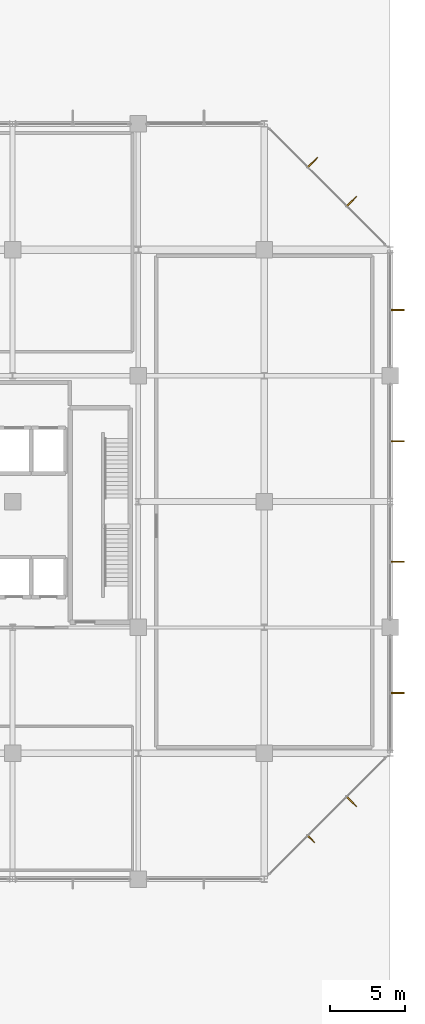
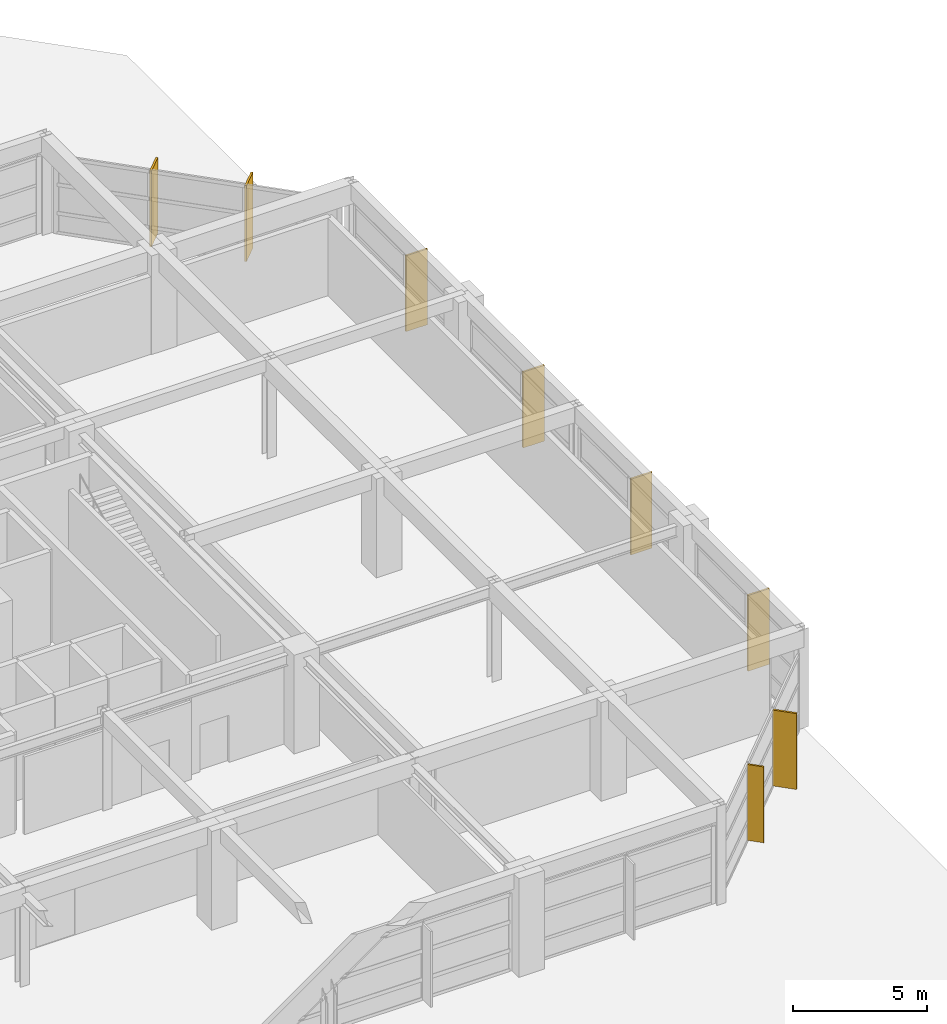
# One storey, part 47 of 47: 8 shading devices.
"""IFC4 building model written with IfcOpenShell, lengths in metres."""

from ifc_helpers import new_model, si_unit, direction, frame, origin, origin_2d, place, context, subcontext, project, spatial, rectangle, extrude, material, type_object, element, save


model = new_model("IFC4")

# Units and contexts
model_context = context("Model", 3, precision=1e-05, world=origin(), true_north=direction((0.0, 1.0)))
body_context = subcontext(model_context, "Body", "Model", "MODEL_VIEW")
ifc_project = project(units=[si_unit("LENGTHUNIT", "METRE"), si_unit("AREAUNIT", "SQUARE_METRE"), si_unit("VOLUMEUNIT", "CUBIC_METRE"), si_unit("PLANEANGLEUNIT", "RADIAN"), si_unit("MASSUNIT", "GRAM", prefix="KILO")], contexts=[model_context])

# Site, building, storey
site_placement = place(None, origin())
site = spatial("IfcSite", under=ifc_project, at=site_placement, CompositionType="ELEMENT")
building_placement = place(site_placement, origin())
building = spatial("IfcBuilding", under=site, at=building_placement, Name="Xuanlan Plaza Opera House", CompositionType="ELEMENT")
storey_placement = place(building_placement, frame((0.0, 0.0, 23.39990234375)))
storey = spatial("IfcBuildingStorey", under=building, at=storey_placement, Name="L05", CompositionType="ELEMENT", Elevation=23.39990234375)

# Shading devices
ifc_material = material(Name="Anodised Aluminium 6063-T6", Category="aluminium")
shading_device_type_1 = type_object("IfcShadingDeviceType", Name="ENV-SHD-BRS01", PredefinedType="JALOUSIE", material=ifc_material)
shading_device_placement = place(storey_placement, frame((162.7294921875, 36.27001953125, 0.0400390625), z_axis=(0.0, 0.0, 1.0), x_axis=(0.707106781187, -0.707106781187, 0.0)))
element("IfcShadingDevice", 1, at=shading_device_placement, inside=storey, type_object=shading_device_type_1, Name="Parametric Sunshade Fin L05-0257", PredefinedType="JALOUSIE", context=body_context, shape_type="SweptSolid", body=[
    extrude(rectangle(XDim=0.639892578125, YDim=0.070068359375, at=origin_2d()), origin(), (0.0, 0.0, 1.0), 3.4599609375),
])
shading_device_type_2 = type_object("IfcShadingDeviceType", Name="ENV-SHD-BRS02", PredefinedType="JALOUSIE", material=ifc_material)
for number, where, z_axis, x_axis, name in (
    (2, (165.42919921875, 38.771484375, 0.0400390625), (0.0, 0.0, 1.0), (0.707106781187, -0.707106781187, 0.0), "Parametric Sunshade Fin L05-0258"),
    (3, (168.465087890625, 46.02490234375, 0.0400390625), (0.0, 0.0, 1.0), (1.0, 0.0, 0.0), "Parametric Sunshade Fin L05-0259"),
    (4, (168.465087890625, 54.77490234375, 0.0400390625), (0.0, 0.0, 1.0), (1.0, 0.0, 0.0), "Parametric Sunshade Fin L05-0260"),
    (5, (168.465087890625, 62.824951171875, 0.0400390625), (0.0, 0.0, 1.0), (1.0, 0.0, 0.0), "Parametric Sunshade Fin L05-0261"),
    (6, (168.465087890625, 71.574951171875, 0.0400390625), (0.0, 0.0, 1.0), (1.0, 0.0, 0.0), "Parametric Sunshade Fin L05-0262"),
    (7, (165.42919921875, 78.82861328125, 0.0400390625), (0.0, 0.0, 1.0), (0.707106781187, 0.707106781187, 0.0), "Parametric Sunshade Fin L05-0263"),
    (8, (162.82861328125, 81.42919921875, 0.0400390625), (0.0, 0.0, 1.0), (0.707106781187, 0.707106781187, 0.0), "Parametric Sunshade Fin L05-0264"),
):
    element("IfcShadingDevice", number, at=place(storey_placement, frame(where, z_axis=z_axis, x_axis=x_axis)), inside=storey, type_object=shading_device_type_2, Name=name, PredefinedType="JALOUSIE", context=body_context, shape_type="SweptSolid", body=[
        extrude(rectangle(XDim=0.919921875, YDim=0.080078125, at=origin_2d()), origin(), (0.0, 0.0, 1.0), 3.4599609375),
    ])

save(model, "model.ifc")
